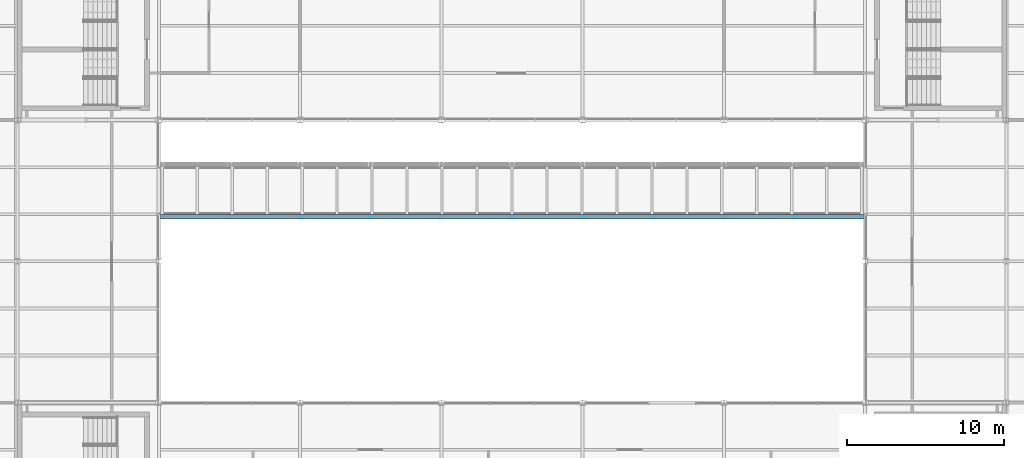
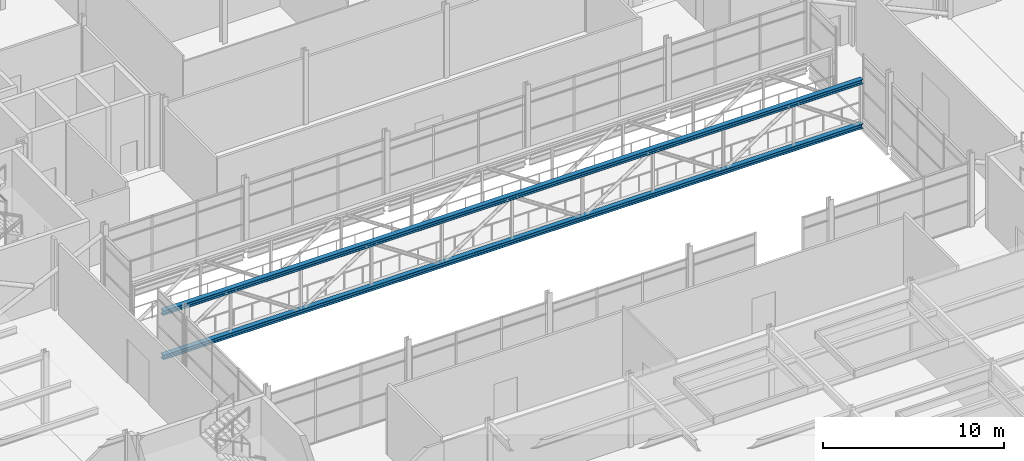
# One storey, part 52 of 115: 2 beams.
"""IFC4 building model written with IfcOpenShell, lengths in metres."""

from ifc_helpers import new_model, si_unit, direction, frame, origin, origin_2d, place, context, subcontext, project, spatial, i_section, extrude, material, material_profile, profile_set, type_object, element, save


model = new_model("IFC4")

# Units and contexts
model_context = context("Model", 3, precision=1e-05, world=origin(), true_north=direction((0.0, 1.0)))
body_context = subcontext(model_context, "Body", "Model", "MODEL_VIEW")
ifc_project = project(units=[si_unit("LENGTHUNIT", "METRE"), si_unit("AREAUNIT", "SQUARE_METRE"), si_unit("VOLUMEUNIT", "CUBIC_METRE"), si_unit("PLANEANGLEUNIT", "RADIAN"), si_unit("MASSUNIT", "GRAM", prefix="KILO")], contexts=[model_context])

# Site, building, storey
site_placement = place(None, origin())
site = spatial("IfcSite", under=ifc_project, at=site_placement, CompositionType="ELEMENT")
building_placement = place(site_placement, origin())
building = spatial("IfcBuilding", under=site, at=building_placement, Name="Shorebreak Coast Museum", CompositionType="ELEMENT")
storey_placement = place(building_placement, frame((0.0, 0.0, 11.0)))
storey = spatial("IfcBuildingStorey", under=building, at=storey_placement, Name="L02", CompositionType="ELEMENT", Elevation=11.0)

# Beams
ifc_material = material(Name="Steel Grade 300", Category="steel")
ifc_material_profile = material_profile(ifc_material, i_section(OverallWidth=0.304931640625, OverallDepth=0.30810546875, WebThickness=0.010009765625, FlangeThickness=0.015380859375, FilletRadius=0.0166015625, at=origin_2d()), Name="310UC96.8")
ifc_profile_set = profile_set([ifc_material_profile], Name="Steel Grade 300")
beam_type = type_object("IfcBeamType", Name="Atrium bridge truss chord 310UC96.8", PredefinedType="BEAM", material=ifc_profile_set)
for number, where, z_axis, x_axis, name in (
    (1, (63.114501953125, 74.83740234375, -0.3291015625), (1.0, 0.0, 0.0), (0.0, 1.0, 0.0), "Atrium bridge truss BR1 side A chord C01"),
    (2, (63.114501953125, 74.83740234375, 2.6708984375), (1.0, 0.0, 0.0), (0.0, 1.0, 0.0), "Atrium bridge truss BR1 side A chord C02"),
):
    element("IfcBeam", number, at=place(storey_placement, frame(where, z_axis=z_axis, x_axis=x_axis)), inside=storey, type_object=beam_type, Name=name, PredefinedType="BEAM", context=body_context, shape_type="SweptSolid", body=[
        extrude(i_section(OverallWidth=0.304931640625, OverallDepth=0.30810546875, WebThickness=0.010009765625, FlangeThickness=0.015380859375, FilletRadius=0.0166015625, at=origin_2d()), origin(), (0.0, 0.0, 1.0), 44.77099609375),
    ])

save(model, "model.ifc")
